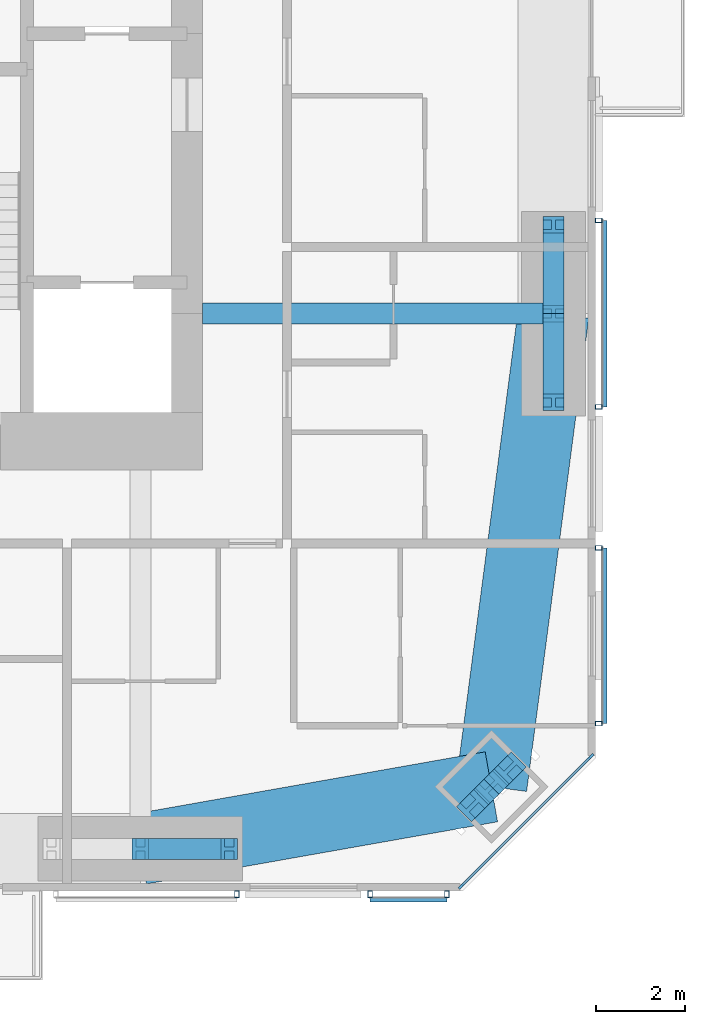
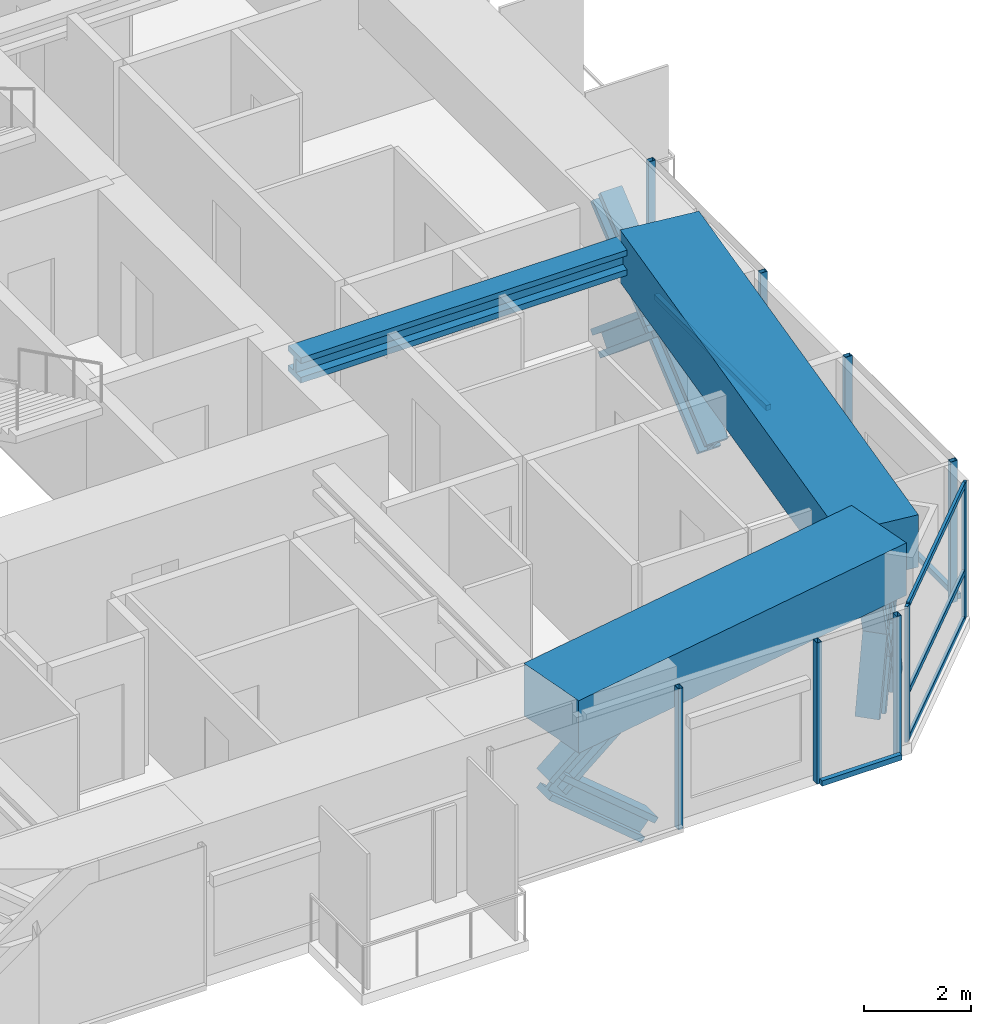
# One storey, part 7 of 23: 25 members, 3 beams, 5 elements without a shape of their own.
"""IFC4 building model written with IfcOpenShell, lengths in metres."""

from ifc_helpers import new_model, si_unit, direction, frame, origin, origin_2d, place, context, subcontext, project, spatial, rectangle, hollow_rectangle, i_section, extrude, material, material_profile, profile_set, type_object, element, aggregate, save


model = new_model("IFC4")

# Units and contexts
model_context = context("Model", 3, precision=1e-05, world=origin(), true_north=direction((0.0, 1.0)))
body_context = subcontext(model_context, "Body", "Model", "MODEL_VIEW")
ifc_project = project(units=[si_unit("LENGTHUNIT", "METRE"), si_unit("AREAUNIT", "SQUARE_METRE"), si_unit("VOLUMEUNIT", "CUBIC_METRE"), si_unit("PLANEANGLEUNIT", "RADIAN"), si_unit("MASSUNIT", "GRAM", prefix="KILO")], contexts=[model_context])

# Site, building, storey
site_placement = place(None, origin())
site = spatial("IfcSite", under=ifc_project, at=site_placement, CompositionType="ELEMENT")
building_placement = place(site_placement, origin())
building = spatial("IfcBuilding", under=site, at=building_placement, Name="Jalousie Tower", CompositionType="ELEMENT")
storey_placement = place(building_placement, frame((0.0, 0.0, 157.699951171875)))
storey = spatial("IfcBuildingStorey", under=building, at=storey_placement, Name="L42", CompositionType="ELEMENT", Elevation=157.699951171875)

# Curtain wall, members
ifc_material_1 = material(Name="Aluminium curtain wall", Category="aluminium")
curtain_wall_type_1 = type_object("IfcCurtainWallType", Name="CORNER WINDOW WALL", PredefinedType="USERDEFINED", material=ifc_material_1)
curtain_wall_1_placement = place(storey_placement, origin())
curtain_wall_1 = element("IfcCurtainWall", 1, at=curtain_wall_1_placement, inside=storey, type_object=curtain_wall_type_1, Name="Corner Window Wall L42 2", ObjectType="CORNER WINDOW WALL", PredefinedType="USERDEFINED")
ifc_material_2 = material(Name="Aluminium mullion", Category="aluminium")
ifc_material_profile_1 = material_profile(ifc_material_2, rectangle(XDim=0.06005859375, YDim=0.14990234375, at=origin_2d()), Name="MULLION 60x150")
ifc_profile_set_1 = profile_set([ifc_material_profile_1], Name="Aluminium mullion")
member_type_1 = type_object("IfcMemberType", Name="CORNER WINDOW WALL MULLION", PredefinedType="MULLION", material=ifc_profile_set_1)
member_1_placement = place(storey_placement, frame((49.969970703125, 0.108642578125, 0.0), z_axis=(0.0, 0.0, 1.0), x_axis=(-0.707106781187, 0.707106781187, 0.0)))
member_1 = element("IfcMember", 2, at=member_1_placement, type_object=member_type_1, Name="CW-C mullion 1", PredefinedType="MULLION", context=body_context, shape_type="SweptSolid", body=[
    extrude(rectangle(XDim=0.06005859375, YDim=0.14990234375, at=origin_2d()), origin(), (0.0, 0.0, 1.0), 3.110107421875),
])
member_2_placement = place(storey_placement, frame((52.891357421875, 3.030029296875, 0.0), z_axis=(0.0, 0.0, 1.0), x_axis=(-0.707106781187, 0.707106781187, 0.0)))
member_2 = element("IfcMember", 3, at=member_2_placement, type_object=member_type_1, Name="CW-C mullion 2", PredefinedType="MULLION", context=body_context, shape_type="SweptSolid", body=[
    extrude(rectangle(XDim=0.06005859375, YDim=0.14990234375, at=origin_2d()), origin(), (0.0, 0.0, 1.0), 3.110107421875),
])
ifc_material_3 = material(Name="Aluminium transom", Category="aluminium")
ifc_material_profile_2 = material_profile(ifc_material_3, rectangle(XDim=0.06005859375, YDim=0.1201171875, at=origin_2d()), Name="TRANSOM 60x120")
ifc_profile_set_2 = profile_set([ifc_material_profile_2], Name="Aluminium transom")
member_type_2 = type_object("IfcMemberType", Name="CORNER WINDOW WALL TRANSOM", PredefinedType="USERDEFINED", material=ifc_profile_set_2)
member_3_placement = place(storey_placement, frame((49.9912109375, 0.1298828125, 0.030029296875), z_axis=(0.707106781187, 0.707106781187, 0.0), x_axis=(-0.707106781187, 0.707106781187, 0.0)))
member_3 = element("IfcMember", 4, at=member_3_placement, type_object=member_type_2, Name="CW-C transom 1.1", ObjectType="TRANSOM", PredefinedType="USERDEFINED", context=body_context, shape_type="SweptSolid", body=[
    extrude(rectangle(XDim=0.06005859375, YDim=0.1201171875, at=origin_2d()), origin(), (0.0, 0.0, 1.0), 4.0712890625),
])
member_4_placement = place(storey_placement, frame((49.9912109375, 0.1298828125, 1.10009765625), z_axis=(0.707106781187, 0.707106781187, 0.0), x_axis=(-0.707106781187, 0.707106781187, 0.0)))
member_4 = element("IfcMember", 5, at=member_4_placement, type_object=member_type_2, Name="CW-C transom 1.2", ObjectType="TRANSOM", PredefinedType="USERDEFINED", context=body_context, shape_type="SweptSolid", body=[
    extrude(rectangle(XDim=0.06005859375, YDim=0.1201171875, at=origin_2d()), origin(), (0.0, 0.0, 1.0), 4.0712890625),
])
member_5_placement = place(storey_placement, frame((49.9912109375, 0.1298828125, 3.080078125), z_axis=(0.707106781187, 0.707106781187, 0.0), x_axis=(-0.707106781187, 0.707106781187, 0.0)))
member_5 = element("IfcMember", 6, at=member_5_placement, type_object=member_type_2, Name="CW-C transom 1.3", ObjectType="TRANSOM", PredefinedType="USERDEFINED", context=body_context, shape_type="SweptSolid", body=[
    extrude(rectangle(XDim=0.06005859375, YDim=0.1201171875, at=origin_2d()), origin(), (0.0, 0.0, 1.0), 4.0712890625),
])
aggregate(curtain_wall_1, [member_1, member_2, member_3, member_4, member_5])

# Beam
ifc_material_4 = material(Name="Steel ASTM A992 Grade 50", Category="steel")
ifc_material_profile_3 = material_profile(ifc_material_4, i_section(OverallWidth=0.472412109375, OverallDepth=0.5791015625, WebThickness=0.094970703125, FlangeThickness=0.1298828125, at=origin_2d()), Name="W14X808")
ifc_profile_set_3 = profile_set([ifc_material_profile_3], Name="Steel ASTM A992 Grade 50")
beam_type_1 = type_object("IfcBeamType", Name="LEAN COLLECTOR W14X808", PredefinedType="BEAM", material=ifc_profile_set_3)
beam_1_placement = place(storey_placement, frame((52.050048828125, 13.0, 2.820556640625), z_axis=(-1.0, 0.0, 0.0), x_axis=(0.0, -1.0, 0.0)))
element("IfcBeam", 7, at=beam_1_placement, inside=storey, type_object=beam_type_1, Name="Lean collector under L43", PredefinedType="BEAM", context=body_context, shape_type="SweptSolid", body=[
    extrude(i_section(OverallWidth=0.472412109375, OverallDepth=0.5791015625, WebThickness=0.094970703125, FlangeThickness=0.1298828125, at=origin_2d()), origin(), (0.0, 0.0, 1.0), 7.900146484375),
])

# Members
ifc_material_5 = material(Name="Steel ASTM A992 Grade 50", Category="steel")
ifc_material_profile_4 = material_profile(ifc_material_5, i_section(OverallWidth=0.472412109375, OverallDepth=0.5791015625, WebThickness=0.094970703125, FlangeThickness=0.1298828125, at=origin_2d()), Name="W14X808")
ifc_profile_set_4 = profile_set([ifc_material_profile_4], Name="Steel ASTM A992 Grade 50")
member_type_3 = type_object("IfcMemberType", Name="PERIMETER BRACE W14X808", PredefinedType="BRACE", material=ifc_profile_set_4)
member_6_placement = place(storey_placement, frame((42.75, 0.949951171875, 1.074951171875), z_axis=(0.766638753323, 0.0, 0.642078672674), x_axis=(0.0, 1.0, 0.0)))
element("IfcMember", 8, at=member_6_placement, inside=storey, type_object=member_type_3, Name="Perimeter brace 04 L42 part 2", PredefinedType="BRACE", context=body_context, shape_type="SweptSolid", body=[
    extrude(i_section(OverallWidth=0.472412109375, OverallDepth=0.5791015625, WebThickness=0.094970703125, FlangeThickness=0.1298828125, at=origin_2d()), origin(), (0.0, 0.0, 1.0), 2.60888671875),
])
member_7_placement = place(storey_placement, frame((44.75, 0.949951171875, -0.599853515625), z_axis=(-0.766684820047, 0.0, 0.642023665225), x_axis=(0.0, -1.0, 0.0)))
element("IfcMember", 9, at=member_7_placement, inside=storey, type_object=member_type_3, Name="Perimeter brace 04 L42 part 3", PredefinedType="BRACE", context=body_context, shape_type="SweptSolid", body=[
    extrude(i_section(OverallWidth=0.472412109375, OverallDepth=0.5791015625, WebThickness=0.094970703125, FlangeThickness=0.1298828125, at=origin_2d()), origin(), (0.0, 0.0, 1.0), 2.608642578125),
])
member_8_placement = place(storey_placement, frame((50.227294921875, 1.92431640625, -0.599853515625), z_axis=(0.238513569048, 0.238376334543, 0.941428701766), x_axis=(-0.706903267951, 0.707310235866, 0.0)))
element("IfcMember", 10, at=member_8_placement, inside=storey, type_object=member_type_3, Name="Perimeter brace 05 L42 part 1", PredefinedType="BRACE", context=body_context, shape_type="SweptSolid", body=[
    extrude(i_section(OverallWidth=0.472412109375, OverallDepth=0.5791015625, WebThickness=0.094970703125, FlangeThickness=0.1298828125, at=origin_2d()), origin(), (0.0, 0.0, 1.0), 1.779052734375),
])
member_9_placement = place(storey_placement, frame((50.651611328125, 2.348388671875, 1.074951171875), z_axis=(0.238345540878, 0.238482757655, 0.941444303953), x_axis=(-0.707310235866, 0.706903267951, 0.0)))
element("IfcMember", 11, at=member_9_placement, inside=storey, type_object=member_type_3, Name="Perimeter brace 05 L42 part 2", PredefinedType="BRACE", context=body_context, shape_type="SweptSolid", body=[
    extrude(i_section(OverallWidth=0.472412109375, OverallDepth=0.5791015625, WebThickness=0.094970703125, FlangeThickness=0.1298828125, at=origin_2d()), origin(), (0.0, 0.0, 1.0), 1.779296875),
])
member_10_placement = place(storey_placement, frame((51.07568359375, 2.772705078125, -0.599853515625), z_axis=(-0.238376334543, -0.238513569048, 0.941428701766), x_axis=(0.707310235866, -0.706903267951, 0.0)))
element("IfcMember", 12, at=member_10_placement, inside=storey, type_object=member_type_3, Name="Perimeter brace 05 L42 part 3", PredefinedType="BRACE", context=body_context, shape_type="SweptSolid", body=[
    extrude(i_section(OverallWidth=0.472412109375, OverallDepth=0.5791015625, WebThickness=0.094970703125, FlangeThickness=0.1298828125, at=origin_2d()), origin(), (0.0, 0.0, 1.0), 1.779052734375),
])
member_11_placement = place(storey_placement, frame((50.651611328125, 2.348388671875, 1.074951171875), z_axis=(-0.238482757655, -0.238345540878, 0.941444303953), x_axis=(0.706903267951, -0.707310235866, 0.0)))
element("IfcMember", 13, at=member_11_placement, inside=storey, type_object=member_type_3, Name="Perimeter brace 05 L42 part 4", PredefinedType="BRACE", context=body_context, shape_type="SweptSolid", body=[
    extrude(i_section(OverallWidth=0.472412109375, OverallDepth=0.5791015625, WebThickness=0.094970703125, FlangeThickness=0.1298828125, at=origin_2d()), origin(), (0.0, 0.0, 1.0), 1.779296875),
])
member_12_placement = place(storey_placement, frame((52.050048828125, 11.0, -0.599853515625), z_axis=(0.0, 0.766684820047, 0.642023665225), x_axis=(-1.0, 0.0, 0.0)))
element("IfcMember", 14, at=member_12_placement, inside=storey, type_object=member_type_3, Name="Perimeter brace 06 L42 part 1", PredefinedType="BRACE", context=body_context, shape_type="SweptSolid", body=[
    extrude(i_section(OverallWidth=0.472412109375, OverallDepth=0.5791015625, WebThickness=0.094970703125, FlangeThickness=0.1298828125, at=origin_2d()), origin(), (0.0, 0.0, 1.0), 2.608642578125),
])
member_13_placement = place(storey_placement, frame((52.050048828125, 13.0, 1.074951171875), z_axis=(0.0, 0.766638753323, 0.642078672674), x_axis=(-1.0, 0.0, 0.0)))
element("IfcMember", 15, at=member_13_placement, inside=storey, type_object=member_type_3, Name="Perimeter brace 06 L42 part 2", PredefinedType="BRACE", context=body_context, shape_type="SweptSolid", body=[
    extrude(i_section(OverallWidth=0.472412109375, OverallDepth=0.5791015625, WebThickness=0.094970703125, FlangeThickness=0.1298828125, at=origin_2d()), origin(), (0.0, 0.0, 1.0), 2.60888671875),
])
member_14_placement = place(storey_placement, frame((52.050048828125, 15.0, -0.599853515625), z_axis=(0.0, -0.766684820047, 0.642023665225), x_axis=(1.0, 0.0, 0.0)))
element("IfcMember", 16, at=member_14_placement, inside=storey, type_object=member_type_3, Name="Perimeter brace 06 L42 part 3", PredefinedType="BRACE", context=body_context, shape_type="SweptSolid", body=[
    extrude(i_section(OverallWidth=0.472412109375, OverallDepth=0.5791015625, WebThickness=0.094970703125, FlangeThickness=0.1298828125, at=origin_2d()), origin(), (0.0, 0.0, 1.0), 2.608642578125),
])
member_15_placement = place(storey_placement, frame((52.050048828125, 13.0, 1.074951171875), z_axis=(0.0, -0.766638753323, 0.642078672674), x_axis=(1.0, 0.0, 0.0)))
element("IfcMember", 17, at=member_15_placement, inside=storey, type_object=member_type_3, Name="Perimeter brace 06 L42 part 4", PredefinedType="BRACE", context=body_context, shape_type="SweptSolid", body=[
    extrude(i_section(OverallWidth=0.472412109375, OverallDepth=0.5791015625, WebThickness=0.094970703125, FlangeThickness=0.1298828125, at=origin_2d()), origin(), (0.0, 0.0, 1.0), 2.60888671875),
])

# Beams
ifc_material_6 = material(Name="Concrete f'c 40 MPa", Category="concrete")
ifc_material_profile_5 = material_profile(ifc_material_6, rectangle(XDim=1.60009765625, YDim=1.199951171875, at=origin_2d()), Name="RC 1600x1200")
ifc_profile_set_5 = profile_set([ifc_material_profile_5], Name="Concrete f'c 40 MPa")
beam_type_2 = type_object("IfcBeamType", Name="RC BEAM 1600x1200", PredefinedType="BEAM", material=ifc_profile_set_5)
beam_2_placement = place(storey_placement, frame((42.75, 0.949951171875, 2.75), z_axis=(0.984697370688, 0.174273027632, 0.0), x_axis=(-0.174273027632, 0.984697370688, 0.0)))
element("IfcBeam", 18, at=beam_2_placement, inside=storey, type_object=beam_type_2, Name="Edge band beam 04-05 under L43", PredefinedType="BEAM", context=body_context, shape_type="SweptSolid", body=[
    extrude(rectangle(XDim=1.60009765625, YDim=1.199951171875, at=origin_2d()), origin(), (0.0, 0.0, 1.0), 8.0244140625),
])
beam_3_placement = place(storey_placement, frame((50.651611328125, 2.348388671875, 2.75), z_axis=(0.130171745558, 0.991491460709, 0.0), x_axis=(-0.991491460709, 0.130171745558, 0.0)))
element("IfcBeam", 19, at=beam_3_placement, inside=storey, type_object=beam_type_2, Name="Edge band beam 05-06 under L43", PredefinedType="BEAM", context=body_context, shape_type="SweptSolid", body=[
    extrude(rectangle(XDim=1.60009765625, YDim=1.199951171875, at=origin_2d()), origin(), (0.0, 0.0, 1.0), 10.742919921875),
])

# Curtain wall, member
ifc_material_7 = material(Name="Perforated aluminium sheet", Category="aluminium")
curtain_wall_type_2 = type_object("IfcCurtainWallType", Name="SOLAR SCREEN SS-1", PredefinedType="USERDEFINED", material=ifc_material_7)
curtain_wall_2_placement = place(storey_placement, origin())
curtain_wall_2 = element("IfcCurtainWall", 20, at=curtain_wall_2_placement, inside=storey, type_object=curtain_wall_type_2, Name="Solar screen L42", ObjectType="SOLAR SCREEN SS-1", PredefinedType="USERDEFINED")
ifc_material_8 = material(Name="Steel ASTM A500 Grade C", Category="steel")
ifc_material_profile_6 = material_profile(ifc_material_8, hollow_rectangle(XDim=0.1015625, YDim=0.15234375, WallThickness=0.00634765625, at=origin_2d()), Name="HSS6X4X1/4")
ifc_profile_set_6 = profile_set([ifc_material_profile_6], Name="Steel ASTM A500 Grade C")
member_type_4 = type_object("IfcMemberType", Name="SOLAR SCREEN SS-1 MULLION", PredefinedType="MULLION", material=ifc_profile_set_6)
member_16_placement = place(storey_placement, frame((44.921630859375, -0.0712890625, -0.119873046875), z_axis=(0.0, 0.0, 1.0), x_axis=(1.0, 0.0, 0.0)))
member_16 = element("IfcMember", 21, at=member_16_placement, type_object=member_type_4, Name="SS1 post 2", PredefinedType="MULLION", context=body_context, shape_type="SweptSolid", body=[
    extrude(hollow_rectangle(XDim=0.1015625, YDim=0.15234375, WallThickness=0.00634765625, at=origin_2d()), origin(), (0.0, 0.0, 1.0), 3.22998046875),
])
aggregate(curtain_wall_2, [member_16])

# Curtain wall, members
curtain_wall_3_placement = place(storey_placement, origin())
curtain_wall_3 = element("IfcCurtainWall", 22, at=curtain_wall_3_placement, inside=storey, type_object=curtain_wall_type_2, Name="Solar screen L42", ObjectType="SOLAR SCREEN SS-1", PredefinedType="USERDEFINED")
member_17_placement = place(storey_placement, frame((47.921630859375, -0.0712890625, -0.119873046875), z_axis=(0.0, 0.0, 1.0), x_axis=(1.0, 0.0, 0.0)))
member_17 = element("IfcMember", 23, at=member_17_placement, type_object=member_type_4, Name="SS1 post 1", PredefinedType="MULLION", context=body_context, shape_type="SweptSolid", body=[
    extrude(hollow_rectangle(XDim=0.1015625, YDim=0.15234375, WallThickness=0.00634765625, at=origin_2d()), origin(), (0.0, 0.0, 1.0), 3.22998046875),
])
member_18_placement = place(storey_placement, frame((49.648681640625, -0.0712890625, -0.119873046875), z_axis=(0.0, 0.0, 1.0), x_axis=(1.0, 0.0, 0.0)))
member_18 = element("IfcMember", 24, at=member_18_placement, type_object=member_type_4, Name="SS1 post 2", PredefinedType="MULLION", context=body_context, shape_type="SweptSolid", body=[
    extrude(hollow_rectangle(XDim=0.1015625, YDim=0.15234375, WallThickness=0.00634765625, at=origin_2d()), origin(), (0.0, 0.0, 1.0), 3.22998046875),
])

curtain_wall_4_placement = place(storey_placement, origin())
curtain_wall_4 = element("IfcCurtainWall", 25, at=curtain_wall_4_placement, inside=storey, type_object=curtain_wall_type_2, Name="Solar screen L42", ObjectType="SOLAR SCREEN SS-1", PredefinedType="USERDEFINED")
member_19_placement = place(storey_placement, frame((53.0712890625, 3.771240234375, -0.119873046875), z_axis=(0.0, 0.0, 1.0), x_axis=(0.0, 1.0, 0.0)))
member_19 = element("IfcMember", 26, at=member_19_placement, type_object=member_type_4, Name="SS1 post 1", PredefinedType="MULLION", context=body_context, shape_type="SweptSolid", body=[
    extrude(hollow_rectangle(XDim=0.1015625, YDim=0.15234375, WallThickness=0.00634765625, at=origin_2d()), origin(), (0.0, 0.0, 1.0), 3.22998046875),
])
member_20_placement = place(storey_placement, frame((53.0712890625, 7.72509765625, -0.119873046875), z_axis=(0.0, 0.0, 1.0), x_axis=(0.0, 1.0, 0.0)))
member_20 = element("IfcMember", 27, at=member_20_placement, type_object=member_type_4, Name="SS1 post 2", PredefinedType="MULLION", context=body_context, shape_type="SweptSolid", body=[
    extrude(hollow_rectangle(XDim=0.1015625, YDim=0.15234375, WallThickness=0.00634765625, at=origin_2d()), origin(), (0.0, 0.0, 1.0), 3.22998046875),
])

curtain_wall_5_placement = place(storey_placement, origin())
curtain_wall_5 = element("IfcCurtainWall", 28, at=curtain_wall_5_placement, inside=storey, type_object=curtain_wall_type_2, Name="Solar screen L42", ObjectType="SOLAR SCREEN SS-1", PredefinedType="USERDEFINED")
member_21_placement = place(storey_placement, frame((53.0712890625, 10.89990234375, -0.119873046875), z_axis=(0.0, 0.0, 1.0), x_axis=(0.0, 1.0, 0.0)))
member_21 = element("IfcMember", 29, at=member_21_placement, type_object=member_type_4, Name="SS1 post 1", PredefinedType="MULLION", context=body_context, shape_type="SweptSolid", body=[
    extrude(hollow_rectangle(XDim=0.1015625, YDim=0.15234375, WallThickness=0.00634765625, at=origin_2d()), origin(), (0.0, 0.0, 1.0), 3.22998046875),
])
member_22_placement = place(storey_placement, frame((53.0712890625, 15.10009765625, -0.119873046875), z_axis=(0.0, 0.0, 1.0), x_axis=(0.0, 1.0, 0.0)))
member_22 = element("IfcMember", 30, at=member_22_placement, type_object=member_type_4, Name="SS1 post 2", PredefinedType="MULLION", context=body_context, shape_type="SweptSolid", body=[
    extrude(hollow_rectangle(XDim=0.1015625, YDim=0.15234375, WallThickness=0.00634765625, at=origin_2d()), origin(), (0.0, 0.0, 1.0), 3.22998046875),
])

# Member
ifc_material_9 = material(Name="Extruded aluminium screen rail", Category="aluminium")
ifc_material_profile_7 = material_profile(ifc_material_9, rectangle(XDim=0.1015625, YDim=0.1201171875, at=origin_2d()), Name="RAIL 102x120")
ifc_profile_set_7 = profile_set([ifc_material_profile_7], Name="Extruded aluminium screen rail")
member_type_5 = type_object("IfcMemberType", Name="SOLAR SCREEN SS-1 TRANSOM", PredefinedType="USERDEFINED", material=ifc_profile_set_7)
member_23_placement = place(storey_placement, frame((47.921630859375, -0.1982421875, -0.06005859375), z_axis=(1.0, 0.0, 0.0), x_axis=(0.0, 1.0, 0.0)))
member_23 = element("IfcMember", 31, at=member_23_placement, type_object=member_type_5, Name="SS1 rail", ObjectType="TRANSOM", PredefinedType="USERDEFINED", context=body_context, shape_type="SweptSolid", body=[
    extrude(rectangle(XDim=0.1015625, YDim=0.1201171875, at=origin_2d()), origin(), (0.0, 0.0, 1.0), 1.72705078125),
])

aggregate(curtain_wall_3, [member_17, member_18, member_23])

member_24_placement = place(storey_placement, frame((53.1982421875, 3.771240234375, -0.06005859375), z_axis=(0.0, 1.0, 0.0), x_axis=(-1.0, 0.0, 0.0)))
member_24 = element("IfcMember", 32, at=member_24_placement, type_object=member_type_5, Name="SS1 rail", ObjectType="TRANSOM", PredefinedType="USERDEFINED", context=body_context, shape_type="SweptSolid", body=[
    extrude(rectangle(XDim=0.1015625, YDim=0.1201171875, at=origin_2d()), origin(), (0.0, 0.0, 1.0), 3.953857421875),
])

aggregate(curtain_wall_4, [member_19, member_20, member_24])

member_25_placement = place(storey_placement, frame((53.1982421875, 10.89990234375, -0.06005859375), z_axis=(0.0, 1.0, 0.0), x_axis=(-1.0, 0.0, 0.0)))
member_25 = element("IfcMember", 33, at=member_25_placement, type_object=member_type_5, Name="SS1 rail", ObjectType="TRANSOM", PredefinedType="USERDEFINED", context=body_context, shape_type="SweptSolid", body=[
    extrude(rectangle(XDim=0.1015625, YDim=0.1201171875, at=origin_2d()), origin(), (0.0, 0.0, 1.0), 4.2001953125),
])

aggregate(curtain_wall_5, [member_21, member_22, member_25])

save(model, "model.ifc")
